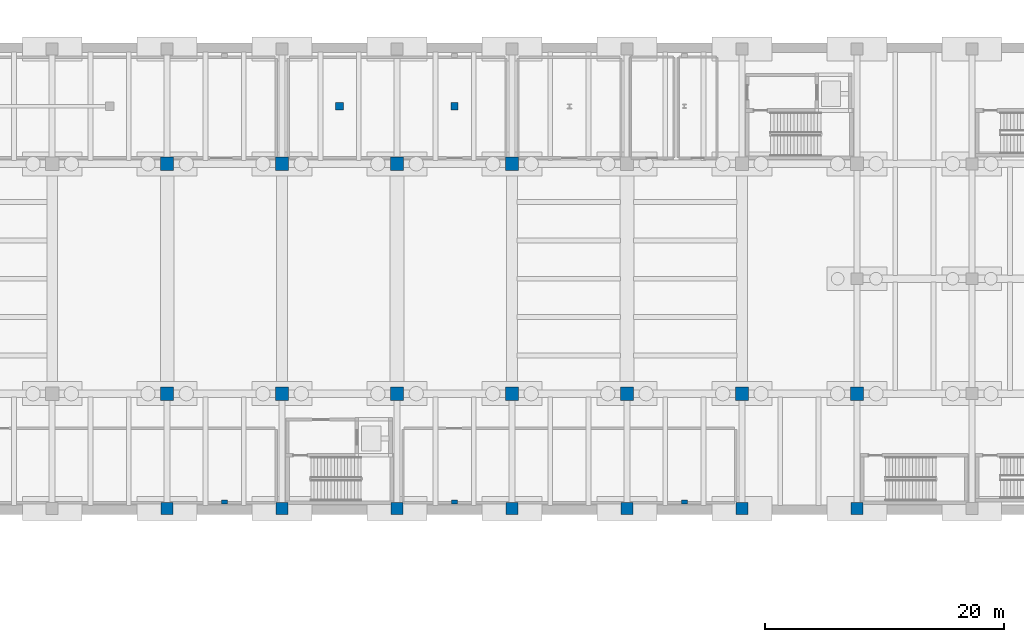
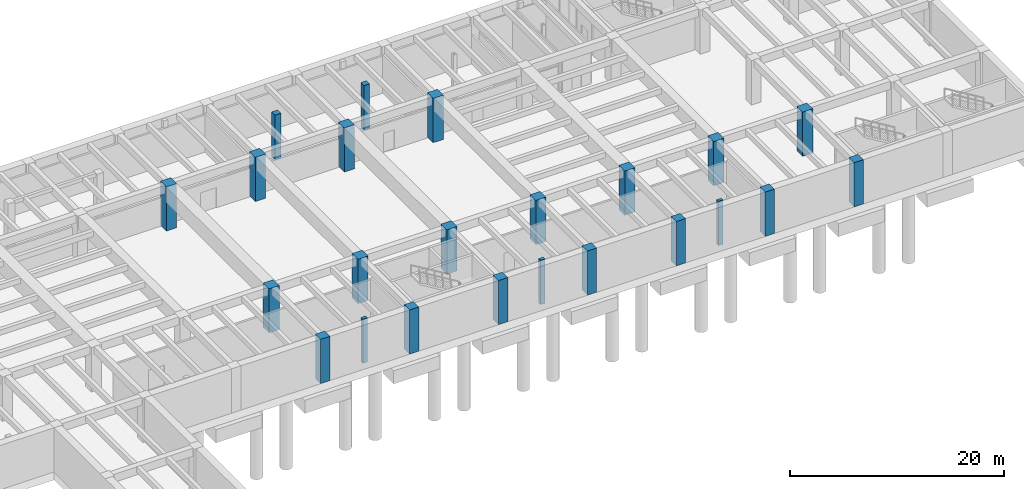
# One storey, part 4 of 24: 23 columns.
"""IFC4 building model written with IfcOpenShell, lengths in metres."""

import ifcopenshell
import ifcopenshell.guid

model = None  # the IFC model being written
_history = None  # IfcOwnerHistory: only IFC2X3 demands one
_inside = {}  # id of a spatial element -> (the spatial element, [elements in it])
_under = {}  # id of a project, library or spatial element -> (it, [spatial elements below it])
_declared = {}  # id of a project -> (the project, [libraries it declares])
_typed = {}  # id of a type object -> (the type object, [elements of that type])
_made_of = {}  # id of a material, layer set ... -> (it, [elements and type objects made of it])


def new_model(schema):
    """Start an empty IFC model of exactly this schema.

    Asked for "IFC4X3", IfcOpenShell would pick the latest addendum, in which some entities
    have other attributes; the version numbers below select the first issue.
    IFC2X3 requires an IfcOwnerHistory on every rooted entity: one is made here for all.
    """
    global model, _history
    if schema == "IFC4X3":
        model = ifcopenshell.file(schema_version=(4, 3, 0, 0))
    else:
        model = ifcopenshell.file(schema=schema)
    _inside.clear()
    _under.clear()
    _declared.clear()
    _typed.clear()
    _made_of.clear()
    _history = None
    if model.schema == "IFC2X3":
        org = make("IfcOrganization", Name="unknown")
        user = make(
            "IfcPersonAndOrganization",
            ThePerson=make("IfcPerson", FamilyName="unknown"),
            TheOrganization=org,
        )
        app = make(
            "IfcApplication",
            ApplicationDeveloper=org,
            Version="unknown",
            ApplicationFullName="unknown",
            ApplicationIdentifier="unknown",
        )
        _history = make(
            "IfcOwnerHistory",
            OwningUser=user,
            OwningApplication=app,
            ChangeAction="ADDED",
            CreationDate=0,
        )
    return model


def make(cls, **values):
    """One entity of the class cls with the attributes given. An attribute that is None is left unset."""
    return model.create_entity(
        cls, **{name: value for name, value in values.items() if value is not None}
    )


def rooted(cls, **values):
    """An entity with a GlobalId (a new one), such as an element, a storey or a relation."""
    return make(cls, GlobalId=ifcopenshell.guid.new(), OwnerHistory=_history, **values)


def si_unit(unit_type, name, prefix=None):
    """IfcSIUnit, for example si_unit("LENGTHUNIT", "METRE", prefix="MILLI")."""
    return make("IfcSIUnit", UnitType=unit_type, Prefix=prefix, Name=name)


def assignment(units):
    """IfcUnitAssignment: the units of a project."""
    return None if units is None else make("IfcUnitAssignment", Units=units)


def point(xyz):
    """IfcCartesianPoint."""
    return None if xyz is None else make("IfcCartesianPoint", Coordinates=xyz)


def direction(xyz):
    """IfcDirection."""
    return None if xyz is None else make("IfcDirection", DirectionRatios=xyz)


def frame(location, z_axis=None, x_axis=None):
    """IfcAxis2Placement3D, a coordinate frame: its origin and axes. An axis left out is left unset."""
    return make(
        "IfcAxis2Placement3D",
        Location=point(location),
        Axis=direction(z_axis),
        RefDirection=direction(x_axis),
    )


def frame_2d(location, x_axis=None):
    """IfcAxis2Placement2D, a coordinate frame in the plane: its origin and x axis."""
    return make(
        "IfcAxis2Placement2D", Location=point(location), RefDirection=direction(x_axis)
    )


def origin():
    """The frame at (0, 0, 0) with its axes left unset."""
    return frame((0.0, 0.0, 0.0))


def origin_2d():
    """The frame at (0, 0) in the plane with its x axis left unset."""
    return frame_2d((0.0, 0.0))


def place(relative_to, where):
    """IfcLocalPlacement: puts the frame where relative to a parent placement (None: the world)."""
    return make(
        "IfcLocalPlacement", PlacementRelTo=relative_to, RelativePlacement=where
    )


def context(
    kind, dimensions, precision=None, world=None, true_north=None, identifier=None
):
    """IfcGeometricRepresentationContext, for example the 3D "Model" context."""
    return make(
        "IfcGeometricRepresentationContext",
        ContextIdentifier=identifier,
        ContextType=kind,
        CoordinateSpaceDimension=dimensions,
        Precision=precision,
        WorldCoordinateSystem=world,
        TrueNorth=true_north,
    )


def subcontext(parent, identifier, kind, view, scale=None):
    """IfcGeometricRepresentationSubContext, for example "Body" below "Model"."""
    return make(
        "IfcGeometricRepresentationSubContext",
        ContextIdentifier=identifier,
        ContextType=kind,
        ParentContext=parent,
        TargetScale=scale,
        TargetView=view,
    )


def project(units=None, contexts=None):
    """IfcProject with its units and contexts."""
    return rooted(
        "IfcProject",
        Name="project",
        RepresentationContexts=contexts,
        UnitsInContext=assignment(units),
    )


def spatial(cls, under=None, at=None, **own):
    """A site, building, storey or space (cls), placed at a placement, below another one or the project."""
    s = rooted(cls, ObjectPlacement=at, **own)
    if under is not None:
        _under.setdefault(under.id(), (under, []))[1].append(s)
    return s


def profile(cls, at=None, kind="AREA", **sizes):
    """A parametric profile (cls). Its sizes go by their IFC names, for example OverallWidth=200.0."""
    return make(cls, ProfileType=kind, Position=at, **sizes)


def rectangle(**sizes):
    """IfcRectangleProfileDef."""
    return profile("IfcRectangleProfileDef", **sizes)


def extrude(swept, where, along, depth):
    """IfcExtrudedAreaSolid: the profile swept, set in the frame where, extruded along a direction by depth."""
    return make(
        "IfcExtrudedAreaSolid",
        SweptArea=swept,
        Position=where,
        ExtrudedDirection=direction(along),
        Depth=depth,
    )


def shape(context_of_items, identifier, shape_type, items):
    """IfcShapeRepresentation: the items that make up one representation, for example the "Body"."""
    return make(
        "IfcShapeRepresentation",
        ContextOfItems=context_of_items,
        RepresentationIdentifier=identifier,
        RepresentationType=shape_type,
        Items=items,
    )


def material(Name=None, Category=None):
    """IfcMaterial."""
    return make("IfcMaterial", Name=Name, Category=Category)


def material_profile(
    of_material, cross_section, Name=None, Category=None, Priority=None
):
    """IfcMaterialProfile: a cross section and its material."""
    return make(
        "IfcMaterialProfile",
        Name=Name,
        Material=of_material,
        Profile=cross_section,
        Priority=Priority,
        Category=Category,
    )


def profile_set(profiles, Name=None, composite=None):
    """IfcMaterialProfileSet."""
    return make(
        "IfcMaterialProfileSet",
        Name=Name,
        MaterialProfiles=profiles,
        CompositeProfile=composite,
    )


def made_of(thing, what):
    """Note that an element or type object is made of a material, layer set ...; save() writes the relation."""
    if what is not None:
        _made_of.setdefault(what.id(), (what, []))[1].append(thing)
    return thing


def type_object(cls, material=None, **own):
    """A type object (cls), such as IfcWallType, which elements share."""
    return made_of(rooted(cls, **own), material)


def element(
    cls,
    number,
    at=None,
    inside=None,
    cuts=None,
    type_object=None,
    material=None,
    context=None,
    identifier="Body",
    shape_type=None,
    held_by="IfcProductDefinitionShape",
    body=None,
    shapes=None,
    **own,
):
    """One element of the class cls, such as IfcWall. Its Tag is "e" and its number.

    at: its placement. inside: the storey or other place that contains it. cuts: it is an
    opening in that element (IfcRelVoidsElement). A single representation is given by context,
    identifier, shape_type and body (its items); several are given by shapes. held_by: the class
    of the entity that holds the representations. save() writes the other relations.
    """
    e = rooted(cls, Tag="e%d" % number, ObjectPlacement=at, **own)
    if body is not None:
        shapes = [shape(context, identifier, shape_type, body)]
    if shapes is not None:
        e.Representation = make(held_by, Representations=shapes)
    if inside is not None:
        _inside.setdefault(inside.id(), (inside, []))[1].append(e)
    if cuts is not None:
        rooted(
            "IfcRelVoidsElement", RelatingBuildingElement=cuts, RelatedOpeningElement=e
        )
    if type_object is not None:
        _typed.setdefault(type_object.id(), (type_object, []))[1].append(e)
    return made_of(e, material)


def aggregate(whole, parts):
    """IfcRelAggregates: a whole, such as a stair, and the parts it consists of."""
    return rooted("IfcRelAggregates", RelatingObject=whole, RelatedObjects=parts)


def save(model, path):
    """Write the relations noted so far, then the file.

    IfcRelAggregates (storeys below a building ...), IfcRelContainedInSpatialStructure (elements
    in a storey), IfcRelDefinesByType, IfcRelAssociatesMaterial and IfcRelDeclares: one each for
    every whole, place, type object, material and project.
    """
    for whole, parts in _under.values():
        aggregate(whole, parts)
    for where, things in _inside.values():
        rooted(
            "IfcRelContainedInSpatialStructure",
            RelatedElements=things,
            RelatingStructure=where,
        )
    for kind, things in _typed.values():
        rooted("IfcRelDefinesByType", RelatedObjects=things, RelatingType=kind)
    for what, things in _made_of.values():
        rooted("IfcRelAssociatesMaterial", RelatedObjects=things, RelatingMaterial=what)
    for by, libraries in _declared.values():
        rooted("IfcRelDeclares", RelatingContext=by, RelatedDefinitions=libraries)
    model.write(path)


model = new_model("IFC4")

# Units and contexts
model_context = context("Model", 3, precision=1e-05, world=origin(), true_north=direction((0.0, 1.0)))
body_context = subcontext(model_context, "Body", "Model", "MODEL_VIEW")
ifc_project = project(units=[si_unit("LENGTHUNIT", "METRE"), si_unit("AREAUNIT", "SQUARE_METRE"), si_unit("VOLUMEUNIT", "CUBIC_METRE"), si_unit("PLANEANGLEUNIT", "RADIAN"), si_unit("MASSUNIT", "GRAM", prefix="KILO")], contexts=[model_context])

# Site, building, storey
site_placement = place(None, origin())
site = spatial("IfcSite", under=ifc_project, at=site_placement, CompositionType="ELEMENT")
building_placement = place(site_placement, origin())
building = spatial("IfcBuilding", under=site, at=building_placement, Name="Coralgate Yard Interchange", CompositionType="ELEMENT")
storey_placement = place(building_placement, frame((0.0, 0.0, -10.800048828125)))
storey = spatial("IfcBuildingStorey", under=building, at=storey_placement, Name="B2", CompositionType="ELEMENT", Elevation=-10.800048828125)

# Columns
ifc_material = material(Name="Concrete C40/50", Category="concrete")
ifc_material_profile_1 = material_profile(ifc_material, rectangle(XDim=1.10009765625, YDim=1.10009765625, at=origin_2d()), Name="RC 1100x1100")
ifc_profile_set_1 = profile_set([ifc_material_profile_1], Name="Concrete C40/50")
column_type_1 = type_object("IfcColumnType", Name="COL-CC-1", PredefinedType="COLUMN", material=ifc_profile_set_1)
for number, where, z_axis, x_axis, name in (
    (1, (76.800048828125, 48.0, 0.0), (0.0, 0.0, 1.0), (1.0, 0.0, 0.0), "B2 structural column 8-5"),
    (2, (76.800048828125, 67.199951171875, 0.0), (0.0, 0.0, 1.0), (1.0, 0.0, 0.0), "B2 structural column 8-7"),
    (3, (86.39990234375, 48.0, 0.0), (0.0, 0.0, 1.0), (1.0, 0.0, 0.0), "B2 structural column 9-5"),
    (4, (86.39990234375, 67.199951171875, 0.0), (0.0, 0.0, 1.0), (1.0, 0.0, 0.0), "B2 structural column 9-7"),
    (5, (96.0, 48.0, 0.0), (0.0, 0.0, 1.0), (1.0, 0.0, 0.0), "B2 structural column 10-5"),
    (6, (96.0, 67.199951171875, 0.0), (0.0, 0.0, 1.0), (1.0, 0.0, 0.0), "B2 structural column 10-7"),
    (7, (105.60009765625, 48.0, 0.0), (0.0, 0.0, 1.0), (1.0, 0.0, 0.0), "B2 structural column 11-5"),
    (8, (105.60009765625, 67.199951171875, 0.0), (0.0, 0.0, 1.0), (1.0, 0.0, 0.0), "B2 structural column 11-7"),
    (9, (115.199951171875, 48.0, 0.0), (0.0, 0.0, 1.0), (1.0, 0.0, 0.0), "B2 structural column 12-5"),
    (10, (124.800048828125, 48.0, 0.0), (0.0, 0.0, 1.0), (1.0, 0.0, 0.0), "B2 structural column 13-5"),
    (11, (134.39990234375, 48.0, 0.0), (0.0, 0.0, 1.0), (1.0, 0.0, 0.0), "B2 structural column 14-5"),
):
    element("IfcColumn", number, at=place(storey_placement, frame(where, z_axis=z_axis, x_axis=x_axis)), inside=storey, type_object=column_type_1, Name=name, PredefinedType="COLUMN", context=body_context, shape_type="SweptSolid", body=[
        extrude(rectangle(XDim=1.10009765625, YDim=1.10009765625, at=origin_2d()), origin(), (0.0, 0.0, 1.0), 5.050048828125),
    ])
ifc_material_profile_2 = material_profile(ifc_material, rectangle(XDim=1.0, YDim=1.0, at=origin_2d()), Name="RC 1000x1000")
ifc_profile_set_2 = profile_set([ifc_material_profile_2], Name="Concrete C40/50")
column_type_2 = type_object("IfcColumnType", Name="COL-CC-2", PredefinedType="COLUMN", material=ifc_profile_set_2)
for number, where, z_axis, x_axis, name in (
    (12, (76.800048828125, 38.39990234375, 0.0), (0.0, 0.0, 1.0), (1.0, 0.0, 0.0), "B2 structural column 8-4"),
    (13, (86.39990234375, 38.39990234375, 0.0), (0.0, 0.0, 1.0), (1.0, 0.0, 0.0), "B2 structural column 9-4"),
    (14, (96.0, 38.39990234375, 0.0), (0.0, 0.0, 1.0), (1.0, 0.0, 0.0), "B2 structural column 10-4"),
    (15, (105.60009765625, 38.39990234375, 0.0), (0.0, 0.0, 1.0), (1.0, 0.0, 0.0), "B2 structural column 11-4"),
    (16, (115.199951171875, 38.39990234375, 0.0), (0.0, 0.0, 1.0), (1.0, 0.0, 0.0), "B2 structural column 12-4"),
    (17, (124.800048828125, 38.39990234375, 0.0), (0.0, 0.0, 1.0), (1.0, 0.0, 0.0), "B2 structural column 13-4"),
    (18, (134.39990234375, 38.39990234375, 0.0), (0.0, 0.0, 1.0), (1.0, 0.0, 0.0), "B2 structural column 14-4"),
):
    element("IfcColumn", number, at=place(storey_placement, frame(where, z_axis=z_axis, x_axis=x_axis)), inside=storey, type_object=column_type_2, Name=name, PredefinedType="COLUMN", context=body_context, shape_type="SweptSolid", body=[
        extrude(rectangle(XDim=1.0, YDim=1.0, at=origin_2d()), origin(), (0.0, 0.0, 1.0), 5.050048828125),
    ])
ifc_material_profile_3 = material_profile(ifc_material, rectangle(XDim=0.64990234375, YDim=0.64990234375, at=origin_2d()), Name="RC 650x650")
ifc_profile_set_3 = profile_set([ifc_material_profile_3], Name="Concrete C40/50")
column_type_3 = type_object("IfcColumnType", Name="COL-CC-8", PredefinedType="COLUMN", material=ifc_profile_set_3)
column_1_placement = place(storey_placement, frame((91.199951171875, 72.0, -0.050048828125), z_axis=(0.0, 0.0, 1.0), x_axis=(1.0, 0.0, 0.0)))
element("IfcColumn", 19, at=column_1_placement, inside=storey, type_object=column_type_3, Name="B2 plant support column 5", PredefinedType="COLUMN", context=body_context, shape_type="SweptSolid", body=[
    extrude(rectangle(XDim=0.64990234375, YDim=0.64990234375, at=origin_2d()), origin(), (0.0, 0.0, 1.0), 5.10009765625),
])
ifc_material_profile_4 = material_profile(ifc_material, rectangle(XDim=0.60009765625, YDim=0.60009765625, at=origin_2d()), Name="RC 600x600")
ifc_profile_set_4 = profile_set([ifc_material_profile_4], Name="Concrete C40/50")
column_type_4 = type_object("IfcColumnType", Name="COL-CC-9", PredefinedType="COLUMN", material=ifc_profile_set_4)
column_2_placement = place(storey_placement, frame((100.800048828125, 72.0, -0.050048828125), z_axis=(0.0, 0.0, 1.0), x_axis=(1.0, 0.0, 0.0)))
element("IfcColumn", 20, at=column_2_placement, inside=storey, type_object=column_type_4, Name="B2 plant support column 6", PredefinedType="COLUMN", context=body_context, shape_type="SweptSolid", body=[
    extrude(rectangle(XDim=0.60009765625, YDim=0.60009765625, at=origin_2d()), origin(), (0.0, 0.0, 1.0), 5.10009765625),
])
ifc_material_profile_5 = material_profile(ifc_material, rectangle(XDim=0.5, YDim=0.35009765625, at=origin_2d()), Name="RC 500x350")
ifc_profile_set_5 = profile_set([ifc_material_profile_5], Name="Concrete C40/50")
column_type_5 = type_object("IfcColumnType", Name="COL-CP-1", PredefinedType="PILASTER", material=ifc_profile_set_5)
for number, where, z_axis, x_axis, name in (
    (21, (81.60009765625, 38.949951171875, 0.0), (0.0, 0.0, 1.0), (1.0, 0.0, 0.0), "B2 diaphragm wall pilaster S3"),
    (22, (100.800048828125, 38.949951171875, 0.0), (0.0, 0.0, 1.0), (1.0, 0.0, 0.0), "B2 diaphragm wall pilaster S4"),
    (23, (120.0, 38.949951171875, 0.0), (0.0, 0.0, 1.0), (1.0, 0.0, 0.0), "B2 diaphragm wall pilaster S5"),
):
    element("IfcColumn", number, at=place(storey_placement, frame(where, z_axis=z_axis, x_axis=x_axis)), inside=storey, type_object=column_type_5, Name=name, PredefinedType="PILASTER", context=body_context, shape_type="SweptSolid", body=[
        extrude(rectangle(XDim=0.5, YDim=0.35009765625, at=origin_2d()), origin(), (0.0, 0.0, 1.0), 5.050048828125),
    ])

save(model, "model.ifc")
